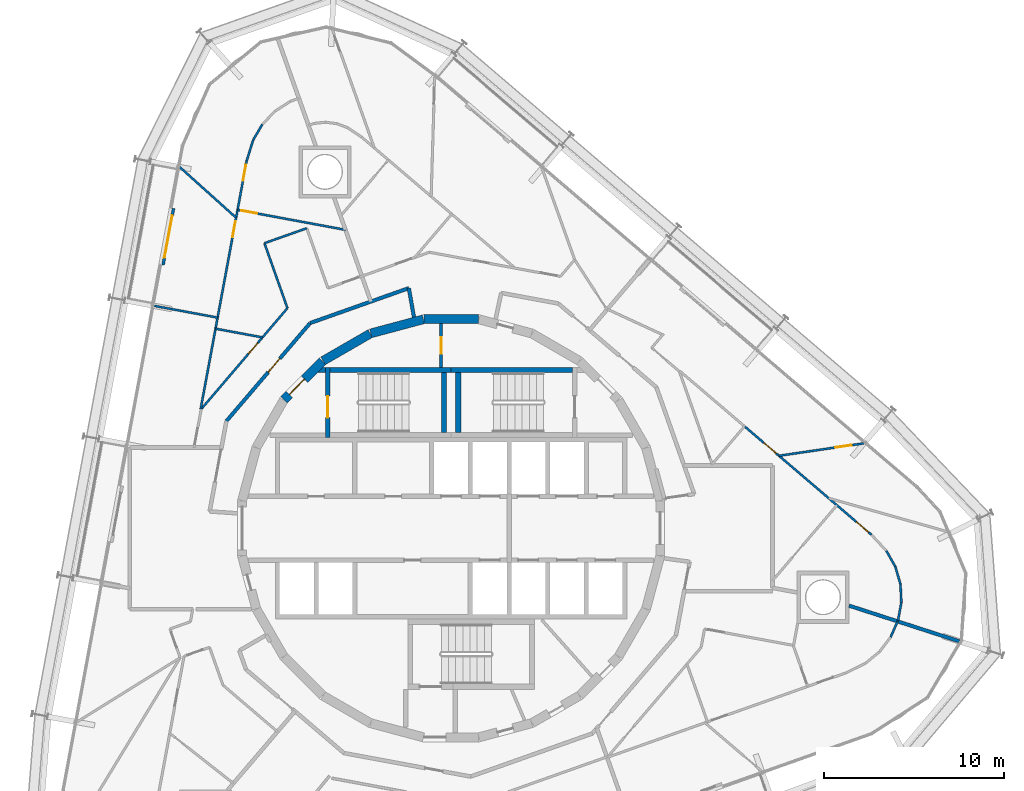
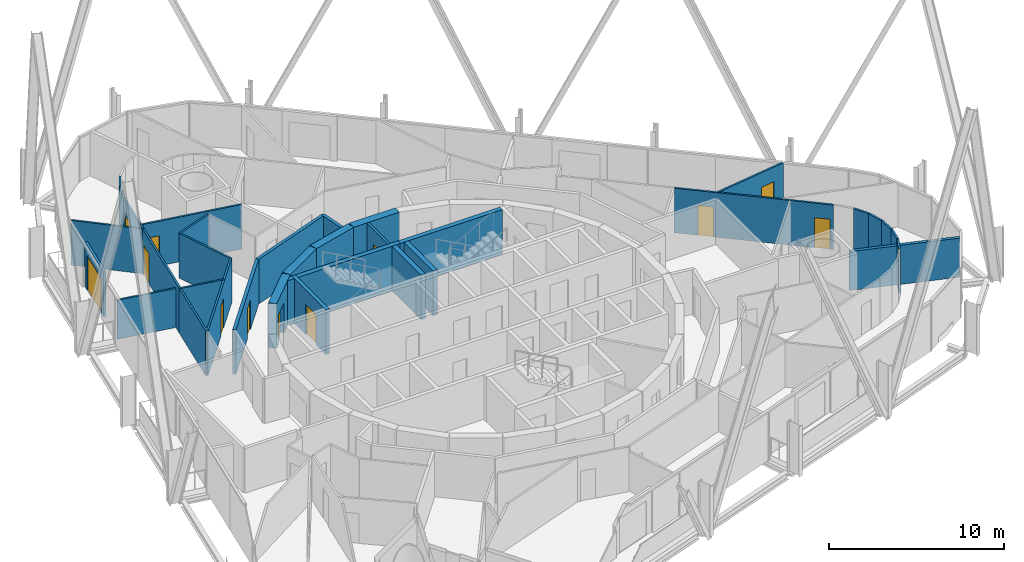
# One storey, part 14 of 17: 34 walls, 12 doors, 12 openings.
"""IFC4 building model written with IfcOpenShell, lengths in metres."""

from ifc_helpers import new_model, si_unit, direction, frame, frame_2d, origin, place, context, subcontext, project, spatial, polyline, rectangle, outline, extrude, material, layer, layer_set, type_object, element, fill, save


model = new_model("IFC4")

# Units and contexts
model_context = context("Model", 3, precision=1e-05, world=origin(), true_north=direction((0.0, 1.0)))
body_context = subcontext(model_context, "Body", "Model", "MODEL_VIEW")
ifc_project = project(units=[si_unit("LENGTHUNIT", "METRE"), si_unit("AREAUNIT", "SQUARE_METRE"), si_unit("VOLUMEUNIT", "CUBIC_METRE"), si_unit("PLANEANGLEUNIT", "RADIAN"), si_unit("MASSUNIT", "GRAM", prefix="KILO")], contexts=[model_context])

# Site, building, storey
site_placement = place(None, origin())
site = spatial("IfcSite", under=ifc_project, at=site_placement, CompositionType="ELEMENT")
building_placement = place(site_placement, origin())
building = spatial("IfcBuilding", under=site, at=building_placement, Name="Spindle Arch Residences", CompositionType="ELEMENT")
storey_placement = place(building_placement, frame((0.0, 0.0, 165.699951171875)))
storey = spatial("IfcBuildingStorey", under=building, at=storey_placement, Name="L41", CompositionType="ELEMENT", Elevation=165.699951171875)

# Walls
ifc_material_1 = material(Name="Concrete C50/60", Category="concrete")
ifc_layer_1 = layer(ifc_material_1, 0.5)
ifc_layer_set_1 = layer_set([ifc_layer_1], Name="Core outline wall 500")
wall_type_1 = type_object("IfcWallType", Name="Core outline wall 500", PredefinedType="SHEAR", material=ifc_layer_set_1)
for number, where, z_axis, x_axis, name in (
    (1, (1.516357421875, 11.647216796875, 0.0), (0.0, 0.0, 1.0), (-1.0, 0.0, 0.0), "Core outline wall 12"),
    (2, (-1.5498046875, 11.642822265625, 0.0), (0.0, 0.0, 1.0), (-0.965948410781, -0.258734743916, 0.0), "Core outline wall 13"),
    (3, (-4.510498046875, 10.84521484375, 0.0), (0.0, 0.0, 1.0), (-0.865975092491, -0.500087131594, 0.0), "Core outline wall 14"),
):
    element("IfcWall", number, at=place(storey_placement, frame(where, z_axis=z_axis, x_axis=x_axis)), inside=storey, type_object=wall_type_1, Name=name, PredefinedType="SHEAR", context=body_context, shape_type="SweptSolid", body=[
        extrude(rectangle(XDim=3.03271484375, YDim=0.5, at=frame_2d((1.516357421875, 0.0))), origin(), (0.0, 0.0, 1.0), 3.1201171875),
    ])

# Wall, opening, door
wall_1_placement = place(storey_placement, frame((-7.163818359375, 9.30810546875, 0.0), z_axis=(0.0, 0.0, 1.0), x_axis=(-0.707106781187, -0.707106781187, 0.0)))
wall_1 = element("IfcWall", 4, at=wall_1_placement, inside=storey, type_object=wall_type_1, Name="Core outline wall 15", PredefinedType="SHEAR", context=body_context, shape_type="SweptSolid", body=[
    extrude(rectangle(XDim=3.032470703125, YDim=0.5, at=frame_2d((1.51611328125, 0.0))), origin(), (0.0, 0.0, 1.0), 3.1201171875),
])
opening_1_placement = place(wall_1_placement, frame((1.416259765625, 0.0, 0.0)))
opening_1 = element("IfcOpeningElement", 5, at=opening_1_placement, cuts=wall_1, Name="Opening R4B0-AD02", PredefinedType="OPENING", context=body_context, shape_type="SweptSolid", body=[
    extrude(rectangle(XDim=1.199951171875, YDim=2.10009765625, at=frame_2d((0.60009765625, 1.050048828125))), frame((0.0, 0.260009765625, 0.0), z_axis=(0.0, -1.0, 0.0), x_axis=(1.0, 0.0, 0.0)), (0.0, 0.0, 1.0), 0.52001953125),
])
ifc_material_2 = material(Name="Steel, fire-resisting door", Category="steel")
door_type_1 = type_object("IfcDoorType", Name="Stair airlock door 1200x2100", OperationType="SINGLE_SWING_LEFT", PredefinedType="DOOR", material=ifc_material_2)
door_1_placement = place(opening_1_placement, origin())
door_1 = element("IfcDoor", 6, at=door_1_placement, inside=storey, type_object=door_type_1, Name="Stair airlock door R4B0-AD02", OperationType="SINGLE_SWING_RIGHT", OverallHeight=2.10009765625, OverallWidth=1.199951171875, PredefinedType="DOOR", context=body_context, shape_type="SweptSolid", body=[
    extrude(rectangle(XDim=1.199951171875, YDim=2.10009765625, at=frame_2d((0.60009765625, 1.050048828125))), frame((0.0, 0.02490234375, 0.0), z_axis=(0.0, -1.0, 0.0), x_axis=(1.0, 0.0, 0.0)), (0.0, 0.0, 1.0), 0.050048828125),
])
fill(opening_1, door_1)

# Walls
ifc_material_3 = material(Name="Calcium silicate block, plastered")
ifc_layer_2 = layer(ifc_material_3, 0.199951171875)
ifc_layer_set_2 = layer_set([ifc_layer_2], Name="Corridor wall 200")
wall_type_2 = type_object("IfcWallType", Name="Corridor wall 200", PredefinedType="STANDARD", material=ifc_layer_set_2)
wall_2_placement = place(storey_placement, frame((-2.07373046875, 11.76123046875, 0.0), z_axis=(0.0, 0.0, 1.0), x_axis=(-0.1736412798, 0.984808969267, 0.0)))
element("IfcWall", 7, at=wall_2_placement, inside=storey, type_object=wall_type_2, Name="Corridor wall R4B0-W009", PredefinedType="STANDARD", context=body_context, shape_type="SweptSolid", body=[
    extrude(rectangle(XDim=1.6435546875, YDim=0.199951171875, at=frame_2d((0.82177734375, 0.0))), origin(), (0.0, 0.0, 1.0), 3.1201171875),
])
wall_3_placement = place(storey_placement, frame((-2.359130859375, 13.3798828125, 0.0), z_axis=(0.0, 0.0, 1.0), x_axis=(-0.942647529236, -0.333789807551, 0.0)))
element("IfcWall", 8, at=wall_3_placement, inside=storey, type_object=wall_type_2, Name="Corridor wall R4B0-W010", PredefinedType="STANDARD", context=body_context, shape_type="SweptSolid", body=[
    extrude(rectangle(XDim=5.8330078125, YDim=0.199951171875, at=frame_2d((2.91650390625, 0.0))), origin(), (0.0, 0.0, 1.0), 3.1201171875),
])

# Wall, opening, door
wall_4_placement = place(storey_placement, frame((-7.857666015625, 11.432861328125, 0.0), z_axis=(0.0, 0.0, 1.0), x_axis=(-0.649440801937, -0.760412154545, 0.0)))
wall_4 = element("IfcWall", 9, at=wall_4_placement, inside=storey, type_object=wall_type_2, Name="Corridor wall R4B0-W011", PredefinedType="STANDARD", context=body_context, shape_type="SweptSolid", body=[
    extrude(rectangle(XDim=7.180908203125, YDim=0.199951171875, at=frame_2d((3.59033203125, 0.0))), origin(), (0.0, 0.0, 1.0), 3.1201171875),
])
opening_2_placement = place(wall_4_placement, frame((2.60009765625, 0.0, 0.0)))
opening_2 = element("IfcOpeningElement", 10, at=opening_2_placement, cuts=wall_4, Name="Opening R4B0-FD03", PredefinedType="OPENING", context=body_context, shape_type="SweptSolid", body=[
    extrude(rectangle(XDim=1.0, YDim=2.10009765625, at=frame_2d((0.5, 1.050048828125))), frame((0.0, 0.10986328125, 0.0), z_axis=(0.0, -1.0, 0.0), x_axis=(1.0, 0.0, 0.0)), (0.0, 0.0, 1.0), 0.219970703125),
])
ifc_material_4 = material(Name="Timber, fire-resisting door set", Category="wood")
door_type_2 = type_object("IfcDoorType", Name="Flat entrance door 1000x2100", OperationType="NOTDEFINED", PredefinedType="DOOR", material=ifc_material_4)
door_2_placement = place(opening_2_placement, origin())
door_2 = element("IfcDoor", 11, at=door_2_placement, inside=storey, type_object=door_type_2, Name="Flat entrance door R4B0-FD03", OperationType="SINGLE_SWING_LEFT", OverallHeight=2.10009765625, OverallWidth=1.0, PredefinedType="DOOR", context=body_context, shape_type="SweptSolid", body=[
    extrude(rectangle(XDim=1.0, YDim=2.10009765625, at=frame_2d((0.5, 1.050048828125))), frame((0.0, 0.02490234375, 0.0), z_axis=(0.0, -1.0, 0.0), x_axis=(1.0, 0.0, 0.0)), (0.0, 0.0, 1.0), 0.050048828125),
])
fill(opening_2, door_2)

# Wall, openings, doors
ifc_material_5 = material(Name="Plasterboard on steel studs", Category="steel")
ifc_layer_3 = layer(ifc_material_5, 0.1201171875)
ifc_layer_set_3 = layer_set([ifc_layer_3], Name="Flat partition 120")
wall_type_3 = type_object("IfcWallType", Name="Flat partition 120", PredefinedType="PARTITIONING", material=ifc_layer_set_3)
wall_5_placement = place(storey_placement, frame((23.411376953125, -0.35693359375, 0.0), z_axis=(0.0, 0.0, 1.0), x_axis=(-0.76041871148, 0.649433124525, 0.0)))
wall_5 = element("IfcWall", 12, at=wall_5_placement, inside=storey, type_object=wall_type_3, Name="Flat partition R4B0-W043", PredefinedType="PARTITIONING", context=body_context, shape_type="SweptSolid", body=[
    extrude(rectangle(XDim=9.2587890625, YDim=0.1201171875, at=frame_2d((4.62939453125, 0.0))), origin(), (0.0, 0.0, 1.0), 3.1201171875),
])
opening_3_placement = place(wall_5_placement, frame((6.971923828125, 0.0, 0.0)))
opening_3 = element("IfcOpeningElement", 13, at=opening_3_placement, cuts=wall_5, Name="Opening R4B0-ID02", PredefinedType="OPENING", context=body_context, shape_type="SweptSolid", body=[
    extrude(rectangle(XDim=0.89990234375, YDim=2.10009765625, at=frame_2d((0.449951171875, 1.050048828125))), frame((0.0, 0.070068359375, 0.0), z_axis=(0.0, -1.0, 0.0), x_axis=(1.0, 0.0, 0.0)), (0.0, 0.0, 1.0), 0.14013671875),
])
opening_4_placement = place(wall_5_placement, frame((0.199951171875, 0.0, 0.0)))
opening_4 = element("IfcOpeningElement", 14, at=opening_4_placement, cuts=wall_5, Name="Opening R4B0-ID05", PredefinedType="OPENING", context=body_context, shape_type="SweptSolid", body=[
    extrude(rectangle(XDim=0.89990234375, YDim=2.10009765625, at=frame_2d((0.449951171875, 1.050048828125))), frame((0.0, 0.070068359375, 0.0), z_axis=(0.0, -1.0, 0.0), x_axis=(1.0, 0.0, 0.0)), (0.0, 0.0, 1.0), 0.14013671875),
])
ifc_material_6 = material(Name="Timber door set", Category="wood")
door_type_3 = type_object("IfcDoorType", Name="Room door 900x2100", OperationType="NOTDEFINED", PredefinedType="DOOR", material=ifc_material_6)
door_3_placement = place(opening_3_placement, origin())
door_3 = element("IfcDoor", 15, at=door_3_placement, inside=storey, type_object=door_type_3, Name="Room door R4B0-ID02", OperationType="SINGLE_SWING_RIGHT", OverallHeight=2.10009765625, OverallWidth=0.89990234375, PredefinedType="DOOR", context=body_context, shape_type="SweptSolid", body=[
    extrude(rectangle(XDim=0.89990234375, YDim=2.10009765625, at=frame_2d((0.449951171875, 1.050048828125))), frame((0.0, 0.02490234375, 0.0), z_axis=(0.0, -1.0, 0.0), x_axis=(1.0, 0.0, 0.0)), (0.0, 0.0, 1.0), 0.050048828125),
])
fill(opening_3, door_3)
door_4_placement = place(opening_4_placement, origin())
door_4 = element("IfcDoor", 16, at=door_4_placement, inside=storey, type_object=door_type_3, Name="Room door R4B0-ID05", OperationType="SINGLE_SWING_LEFT", OverallHeight=2.10009765625, OverallWidth=0.89990234375, PredefinedType="DOOR", context=body_context, shape_type="SweptSolid", body=[
    extrude(rectangle(XDim=0.89990234375, YDim=2.10009765625, at=frame_2d((0.449951171875, 1.050048828125))), frame((0.0, 0.02490234375, 0.0), z_axis=(0.0, -1.0, 0.0), x_axis=(1.0, 0.0, 0.0)), (0.0, 0.0, 1.0), 0.050048828125),
])
fill(opening_4, door_4)

# Wall, opening, door
wall_6_placement = place(storey_placement, frame((22.99365234375, 4.73388671875, 0.0), z_axis=(0.0, 0.0, 1.0), x_axis=(-0.989449286977, -0.144879634529, 0.0)))
wall_6 = element("IfcWall", 17, at=wall_6_placement, inside=storey, type_object=wall_type_3, Name="Flat partition R4B0-W046", PredefinedType="PARTITIONING", context=body_context, shape_type="SweptSolid", body=[
    extrude(rectangle(XDim=4.782470703125, YDim=0.1201171875, at=frame_2d((2.39111328125, 0.0))), origin(), (0.0, 0.0, 1.0), 3.1201171875),
])
opening_5_placement = place(wall_6_placement, frame((0.699951171875, 0.0, 0.0)))
opening_5 = element("IfcOpeningElement", 18, at=opening_5_placement, cuts=wall_6, Name="Opening R4B0-ID03", PredefinedType="OPENING", context=body_context, shape_type="SweptSolid", body=[
    extrude(rectangle(XDim=0.89990234375, YDim=2.10009765625, at=frame_2d((0.449951171875, 1.050048828125))), frame((0.0, 0.070068359375, 0.0), z_axis=(0.0, -1.0, 0.0), x_axis=(1.0, 0.0, 0.0)), (0.0, 0.0, 1.0), 0.14013671875),
])
door_5_placement = place(opening_5_placement, origin())
door_5 = element("IfcDoor", 19, at=door_5_placement, inside=storey, type_object=door_type_3, Name="Room door R4B0-ID03", OperationType="SINGLE_SWING_LEFT", OverallHeight=2.10009765625, OverallWidth=0.89990234375, PredefinedType="DOOR", context=body_context, shape_type="SweptSolid", body=[
    extrude(rectangle(XDim=0.89990234375, YDim=2.10009765625, at=frame_2d((0.449951171875, 1.050048828125))), frame((0.0, 0.02490234375, 0.0), z_axis=(0.0, -1.0, 0.0), x_axis=(1.0, 0.0, 0.0)), (0.0, 0.0, 1.0), 0.050048828125),
])
fill(opening_5, door_5)

# Walls
for number, where, z_axis, x_axis, name in (
    (20, (24.893798828125, -5.130615234375, 0.0), (0.0, 0.0, 1.0), (0.182140887528, 0.983272442963, 0.0), "Flat partition R4B0-W048"),
    (21, (25.078857421875, -4.131591796875, 0.0), (0.0, 0.0, 1.0), (-0.049494233422, 0.998774409393, 0.0), "Flat partition R4B0-W049"),
):
    element("IfcWall", number, at=place(storey_placement, frame(where, z_axis=z_axis, x_axis=x_axis)), inside=storey, type_object=wall_type_3, Name=name, PredefinedType="PARTITIONING", context=body_context, shape_type="SweptSolid", body=[
        extrude(rectangle(XDim=1.01611328125, YDim=0.1201171875, at=frame_2d((0.508056640625, 0.0))), origin(), (0.0, 0.0, 1.0), 3.1201171875),
    ])
for number, where, z_axis, x_axis, name in (
    (22, (25.028564453125, -3.11669921875, 0.0), (0.0, 0.0, 1.0), (-0.278559922069, 0.96041885124, 0.0), "Flat partition R4B0-W050"),
    (23, (24.74560546875, -2.14111328125, 0.0), (0.0, 0.0, 1.0), (-0.492199796518, 0.870482257319, 0.0), "Flat partition R4B0-W051"),
):
    element("IfcWall", number, at=place(storey_placement, frame(where, z_axis=z_axis, x_axis=x_axis)), inside=storey, type_object=wall_type_3, Name=name, PredefinedType="PARTITIONING", context=body_context, shape_type="SweptSolid", body=[
        extrude(rectangle(XDim=1.015869140625, YDim=0.1201171875, at=frame_2d((0.5078125, 0.0))), origin(), (0.0, 0.0, 1.0), 3.1201171875),
    ])
wall_7_placement = place(storey_placement, frame((-8.045166015625, 16.71630859375, 0.0), z_axis=(0.0, 0.0, 1.0), x_axis=(-0.942640030216, -0.333810984592, 0.0)))
element("IfcWall", 24, at=wall_7_placement, inside=storey, type_object=wall_type_3, Name="Flat partition R4B0-W069", PredefinedType="PARTITIONING", context=body_context, shape_type="SweptSolid", body=[
    extrude(rectangle(XDim=2.499755859375, YDim=0.1201171875, at=frame_2d((1.25, 0.0))), origin(), (0.0, 0.0, 1.0), 3.1201171875),
])
wall_8_placement = place(storey_placement, frame((-10.401611328125, 15.8818359375, 0.0), z_axis=(0.0, 0.0, 1.0), x_axis=(0.33382476952, -0.942635148536, 0.0)))
element("IfcWall", 25, at=wall_8_placement, inside=storey, type_object=wall_type_3, Name="Flat partition R4B0-W070", PredefinedType="PARTITIONING", context=body_context, shape_type="SweptSolid", body=[
    extrude(rectangle(XDim=3.838134765625, YDim=0.1201171875, at=frame_2d((1.9189453125, 0.0))), origin(), (0.0, 0.0, 1.0), 3.1201171875),
])

# Wall, opening, door
wall_9_placement = place(storey_placement, frame((-9.120361328125, 12.263916015625, 0.0), z_axis=(0.0, 0.0, 1.0), x_axis=(-0.649444490942, -0.760409003882, 0.0)))
wall_9 = element("IfcWall", 26, at=wall_9_placement, inside=storey, type_object=wall_type_3, Name="Flat partition R4B0-W071", PredefinedType="PARTITIONING", context=body_context, shape_type="SweptSolid", body=[
    extrude(rectangle(XDim=7.394775390625, YDim=0.1201171875, at=frame_2d((3.697265625, 0.0))), origin(), (0.0, 0.0, 1.0), 3.1201171875),
])
opening_6_placement = place(wall_9_placement, frame((2.54150390625, 0.0, 0.0)))
opening_6 = element("IfcOpeningElement", 27, at=opening_6_placement, cuts=wall_9, Name="Opening R4B0-BD03", PredefinedType="OPENING", context=body_context, shape_type="SweptSolid", body=[
    extrude(rectangle(XDim=0.800048828125, YDim=2.10009765625, at=frame_2d((0.39990234375, 1.050048828125))), frame((0.0, 0.070068359375, 0.0), z_axis=(0.0, -1.0, 0.0), x_axis=(1.0, 0.0, 0.0)), (0.0, 0.0, 1.0), 0.14013671875),
])
ifc_material_7 = material(Name="Timber door set", Category="wood")
door_type_4 = type_object("IfcDoorType", Name="Bathroom door 800x2100", OperationType="NOTDEFINED", PredefinedType="DOOR", material=ifc_material_7)
door_6_placement = place(opening_6_placement, origin())
door_6 = element("IfcDoor", 28, at=door_6_placement, inside=storey, type_object=door_type_4, Name="Bathroom door R4B0-BD03", OperationType="SINGLE_SWING_LEFT", OverallHeight=2.10009765625, OverallWidth=0.800048828125, PredefinedType="DOOR", context=body_context, shape_type="SweptSolid", body=[
    extrude(rectangle(XDim=0.800048828125, YDim=2.10009765625, at=frame_2d((0.39990234375, 1.050048828125))), frame((0.0, 0.02490234375, 0.0), z_axis=(0.0, -1.0, 0.0), x_axis=(1.0, 0.0, 0.0)), (0.0, 0.0, 1.0), 0.050048828125),
])
fill(opening_6, door_6)

# Walls
wall_10_placement = place(storey_placement, frame((-13.955322265625, 6.64697265625, 0.0), z_axis=(0.0, 0.0, 1.0), x_axis=(0.182264522222, 0.983249532896, 0.0)))
element("IfcWall", 29, at=wall_10_placement, inside=storey, type_object=wall_type_3, Name="Flat partition R4B0-W073", PredefinedType="PARTITIONING", context=body_context, shape_type="SweptSolid", body=[
    extrude(rectangle(XDim=4.589111328125, YDim=0.1201171875, at=frame_2d((2.29443359375, 0.0))), origin(), (0.0, 0.0, 1.0), 3.1201171875),
])
wall_11_placement = place(storey_placement, frame((-10.518798828125, 22.501220703125, 0.0), z_axis=(0.0, 0.0, 1.0), x_axis=(-0.507198615628, -0.861829196712, 0.0)))
element("IfcWall", 30, at=wall_11_placement, inside=storey, type_object=wall_type_3, Name="Flat partition R4B0-W077", PredefinedType="PARTITIONING", context=body_context, shape_type="SweptSolid", body=[
    extrude(rectangle(XDim=1.01611328125, YDim=0.1201171875, at=frame_2d((0.508056640625, 0.0))), origin(), (0.0, 0.0, 1.0), 3.1201171875),
])
wall_12_placement = place(storey_placement, frame((-11.0341796875, 21.62548828125, 0.0), z_axis=(0.0, 0.0, 1.0), x_axis=(-0.295260042089, -0.955416928647, 0.0)))
element("IfcWall", 31, at=wall_12_placement, inside=storey, type_object=wall_type_3, Name="Flat partition R4B0-W078", PredefinedType="PARTITIONING", context=body_context, shape_type="SweptSolid", body=[
    extrude(rectangle(XDim=1.22705078125, YDim=0.1201171875, at=frame_2d((0.613525390625, 0.0))), origin(), (0.0, 0.0, 1.0), 3.1201171875),
])

# Wall, openings, doors
wall_13_placement = place(storey_placement, frame((-11.396484375, 20.453125, 0.0), z_axis=(0.0, 0.0, 1.0), x_axis=(-0.182223370439, -0.983257160292, 0.0)))
wall_13 = element("IfcWall", 32, at=wall_13_placement, inside=storey, type_object=wall_type_3, Name="Flat partition R4B0-W079", PredefinedType="PARTITIONING", context=body_context, shape_type="SweptSolid", body=[
    extrude(rectangle(XDim=9.4521484375, YDim=0.1201171875, at=frame_2d((4.72607421875, 0.0))), origin(), (0.0, 0.0, 1.0), 3.1201171875),
])
opening_7_placement = place(wall_13_placement, frame((3.405517578125, 0.0, 0.0)))
opening_7 = element("IfcOpeningElement", 33, at=opening_7_placement, cuts=wall_13, Name="Opening R4B0-ID15", PredefinedType="OPENING", context=body_context, shape_type="SweptSolid", body=[
    extrude(rectangle(XDim=0.89990234375, YDim=2.10009765625, at=frame_2d((0.449951171875, 1.050048828125))), frame((0.0, 0.070068359375, 0.0), z_axis=(0.0, -1.0, 0.0), x_axis=(1.0, 0.0, 0.0)), (0.0, 0.0, 1.0), 0.14013671875),
])
opening_8_placement = place(wall_13_placement, frame((0.199951171875, 0.0, 0.0)))
opening_8 = element("IfcOpeningElement", 34, at=opening_8_placement, cuts=wall_13, Name="Opening R4B0-ID16", PredefinedType="OPENING", context=body_context, shape_type="SweptSolid", body=[
    extrude(rectangle(XDim=0.89990234375, YDim=2.10009765625, at=frame_2d((0.449951171875, 1.050048828125))), frame((0.0, 0.070068359375, 0.0), z_axis=(0.0, -1.0, 0.0), x_axis=(1.0, 0.0, 0.0)), (0.0, 0.0, 1.0), 0.14013671875),
])
door_7_placement = place(opening_7_placement, origin())
door_7 = element("IfcDoor", 35, at=door_7_placement, inside=storey, type_object=door_type_3, Name="Room door R4B0-ID15", OperationType="SINGLE_SWING_LEFT", OverallHeight=2.10009765625, OverallWidth=0.89990234375, PredefinedType="DOOR", context=body_context, shape_type="SweptSolid", body=[
    extrude(rectangle(XDim=0.89990234375, YDim=2.10009765625, at=frame_2d((0.449951171875, 1.050048828125))), frame((0.0, 0.02490234375, 0.0), z_axis=(0.0, -1.0, 0.0), x_axis=(1.0, 0.0, 0.0)), (0.0, 0.0, 1.0), 0.050048828125),
])
fill(opening_7, door_7)
door_8_placement = place(opening_8_placement, origin())
door_8 = element("IfcDoor", 36, at=door_8_placement, inside=storey, type_object=door_type_3, Name="Room door R4B0-ID16", OperationType="SINGLE_SWING_LEFT", OverallHeight=2.10009765625, OverallWidth=0.89990234375, PredefinedType="DOOR", context=body_context, shape_type="SweptSolid", body=[
    extrude(rectangle(XDim=0.89990234375, YDim=2.10009765625, at=frame_2d((0.449951171875, 1.050048828125))), frame((0.0, 0.02490234375, 0.0), z_axis=(0.0, -1.0, 0.0), x_axis=(1.0, 0.0, 0.0)), (0.0, 0.0, 1.0), 0.050048828125),
])
fill(opening_8, door_8)

# Wall, opening, door
wall_14_placement = place(storey_placement, frame((-11.8994140625, 17.739990234375, 0.0), z_axis=(0.0, 0.0, 1.0), x_axis=(0.983254721409, -0.182236529889, 0.0)))
wall_14 = element("IfcWall", 37, at=wall_14_placement, inside=storey, type_object=wall_type_3, Name="Flat partition R4B0-W080", PredefinedType="PARTITIONING", context=body_context, shape_type="SweptSolid", body=[
    extrude(rectangle(XDim=6.1142578125, YDim=0.1201171875, at=frame_2d((3.05712890625, 0.0))), origin(), (0.0, 0.0, 1.0), 3.1201171875),
])
opening_9_placement = place(wall_14_placement, frame((0.199951171875, 0.0, 0.0)))
opening_9 = element("IfcOpeningElement", 38, at=opening_9_placement, cuts=wall_14, Name="Opening R4B0-ID14", PredefinedType="OPENING", context=body_context, shape_type="SweptSolid", body=[
    extrude(rectangle(XDim=0.89990234375, YDim=2.10009765625, at=frame_2d((0.449951171875, 1.050048828125))), frame((0.0, 0.070068359375, 0.0), z_axis=(0.0, -1.0, 0.0), x_axis=(1.0, 0.0, 0.0)), (0.0, 0.0, 1.0), 0.14013671875),
])
door_9_placement = place(opening_9_placement, origin())
door_9 = element("IfcDoor", 39, at=door_9_placement, inside=storey, type_object=door_type_3, Name="Room door R4B0-ID14", OperationType="SINGLE_SWING_LEFT", OverallHeight=2.10009765625, OverallWidth=0.89990234375, PredefinedType="DOOR", context=body_context, shape_type="SweptSolid", body=[
    extrude(rectangle(XDim=0.89990234375, YDim=2.10009765625, at=frame_2d((0.449951171875, 1.050048828125))), frame((0.0, 0.02490234375, 0.0), z_axis=(0.0, -1.0, 0.0), x_axis=(1.0, 0.0, 0.0)), (0.0, 0.0, 1.0), 0.050048828125),
])
fill(opening_9, door_9)

# Walls
wall_15_placement = place(storey_placement, frame((-15.119140625, 20.122314453125, 0.0), z_axis=(0.0, 0.0, 1.0), x_axis=(0.743711124749, -0.668501131581, 0.0)))
element("IfcWall", 40, at=wall_15_placement, inside=storey, type_object=wall_type_3, Name="Flat partition R4B0-W081", PredefinedType="PARTITIONING", context=body_context, shape_type="SweptSolid", body=[
    extrude(rectangle(XDim=4.219970703125, YDim=0.1201171875, at=frame_2d((2.10986328125, 0.0))), origin(), (0.0, 0.0, 1.0), 3.1201171875),
])
wall_16_placement = place(storey_placement, frame((-13.126220703125, 11.1201171875, 0.0), z_axis=(0.0, 0.0, 1.0), x_axis=(0.983257646361, -0.182220747645, 0.0)))
element("IfcWall", 41, at=wall_16_placement, inside=storey, type_object=wall_type_3, Name="Flat partition R4B0-W082", PredefinedType="PARTITIONING", context=body_context, shape_type="SweptSolid", body=[
    extrude(rectangle(XDim=2.659423828125, YDim=0.1201171875, at=frame_2d((1.32958984375, 0.0))), origin(), (0.0, 0.0, 1.0), 3.1201171875),
])
wall_17_placement = place(storey_placement, frame((24.8701171875, -5.18408203125, 0.0), z_axis=(0.0, 0.0, 1.0), x_axis=(-0.404173771344, -0.914682219439, 0.0)))
element("IfcWall", 42, at=wall_17_placement, inside=storey, type_object=wall_type_3, Name="Flat partition R4B0-W121", PredefinedType="PARTITIONING", context=body_context, shape_type="SweptSolid", body=[
    extrude(rectangle(XDim=0.95751953125, YDim=0.1201171875, at=frame_2d((0.478759765625, 0.0))), origin(), (0.0, 0.0, 1.0), 3.1201171875),
])
ifc_material_8 = material(Name="Plasterboard on steel studs", Category="steel")
ifc_layer_4 = layer(ifc_material_8, 0.1201171875)
ifc_layer_set_4 = layer_set([ifc_layer_4], Name="Flat partition 120 under beam 2730")
wall_type_4 = type_object("IfcWallType", Name="Flat partition 120 under beam 2730", PredefinedType="PARTITIONING", material=ifc_layer_set_4)
wall_18_placement = place(storey_placement, frame((-16.551513671875, 12.393798828125, 0.0), z_axis=(0.0, 0.0, 1.0), x_axis=(0.983257712156, -0.182220392618, 0.0)))
element("IfcWall", 43, at=wall_18_placement, inside=storey, type_object=wall_type_4, Name="Flat partition R4B0-W083", PredefinedType="PARTITIONING", context=body_context, shape_type="SweptSolid", body=[
    extrude(rectangle(XDim=3.60009765625, YDim=0.1201171875, at=frame_2d((1.800048828125, 0.0))), origin(), (0.0, 0.0, 1.0), 2.72998046875),
])
ifc_material_9 = material(Name="Calcium silicate block, plastered")
ifc_layer_5 = layer(ifc_material_9, 0.199951171875)
ifc_layer_set_5 = layer_set([ifc_layer_5], Name="Flat party wall 200 under beam 2730")
wall_type_5 = type_object("IfcWallType", Name="Flat party wall 200 under beam 2730", PredefinedType="STANDARD", material=ifc_layer_set_5)
wall_19_placement = place(storey_placement, frame((22.1630859375, -4.30810546875, 0.0), z_axis=(0.0, 0.0, 1.0), x_axis=(0.951422718769, -0.307887658426, 0.0)))
element("IfcWall", 44, at=wall_19_placement, inside=storey, type_object=wall_type_5, Name="Flat party wall R4B0-W030", PredefinedType="STANDARD", context=body_context, shape_type="SweptSolid", body=[
    extrude(rectangle(XDim=6.464111328125, YDim=0.199951171875, at=frame_2d((3.23193359375, 0.0))), origin(), (0.0, 0.0, 1.0), 2.72998046875),
])

# Wall, opening, door
ifc_material_10 = material(Name="Non-combustible mineral wool insulated aluminium faced external wall (K0)", Category="aluminium")
ifc_layer_6 = layer(ifc_material_10, 0.159912109375)
ifc_layer_set_6 = layer_set([ifc_layer_6], Name="Insulated external wall panel 160")
wall_type_6 = type_object("IfcWallType", Name="Insulated external wall panel 160", PredefinedType="STANDARD", material=ifc_layer_set_6)
wall_20_placement = place(storey_placement, frame((-15.465087890625, 17.816650390625, 0.0), z_axis=(0.0, 0.0, 1.0), x_axis=(-0.182201278434, -0.983261254264, 0.0)))
wall_20 = element("IfcWall", 45, at=wall_20_placement, inside=storey, type_object=wall_type_6, Name="External wall L41 bay 13", PredefinedType="STANDARD", context=body_context, shape_type="SweptSolid", body=[
    extrude(rectangle(XDim=3.19970703125, YDim=0.159912109375, at=frame_2d((1.599853515625, 0.0))), origin(), (0.0, 0.0, 1.0), 3.1201171875),
])
opening_10_placement = place(wall_20_placement, frame((0.39990234375, 0.0, 0.0)))
opening_10 = element("IfcOpeningElement", 46, at=opening_10_placement, cuts=wall_20, Name="Opening BD13", PredefinedType="OPENING", context=body_context, shape_type="SweptSolid", body=[
    extrude(rectangle(XDim=2.39990234375, YDim=2.39990234375, at=frame_2d((1.199951171875, 1.199951171875))), frame((0.0, 0.08984375, 0.0), z_axis=(0.0, -1.0, 0.0), x_axis=(1.0, 0.0, 0.0)), (0.0, 0.0, 1.0), 0.179931640625),
])
ifc_material_11 = material(Name="Bronze aluminium frame, tinted double glazing", Category="aluminium")
door_type_5 = type_object("IfcDoorType", Name="Sliding glazed balcony door 2400x2400", OperationType="DOUBLE_DOOR_SLIDING", PredefinedType="DOOR", material=ifc_material_11)
door_10_placement = place(opening_10_placement, origin())
door_10 = element("IfcDoor", 47, at=door_10_placement, inside=storey, type_object=door_type_5, Name="Balcony door BD13", OperationType="DOUBLE_DOOR_SLIDING", OverallHeight=2.39990234375, OverallWidth=2.39990234375, PredefinedType="DOOR", context=body_context, shape_type="SweptSolid", body=[
    extrude(rectangle(XDim=2.39990234375, YDim=2.39990234375, at=frame_2d((1.199951171875, 1.199951171875))), frame((0.0, 0.02490234375, 0.0), z_axis=(0.0, -1.0, 0.0), x_axis=(1.0, 0.0, 0.0)), (0.0, 0.0, 1.0), 0.050048828125),
])
fill(opening_10, door_10)

ifc_material_12 = material(Name="Concrete C25/30", Category="concrete")
ifc_layer_7 = layer(ifc_material_12, 0.14990234375)
ifc_layer_set_7 = layer_set([ifc_layer_7], Name="Service room partition 150")
wall_type_7 = type_object("IfcWallType", Name="Service room partition 150", PredefinedType="PARTITIONING", material=ifc_layer_set_7)
wall_21_placement = place(storey_placement, frame((-0.5615234375, 8.969970703125, 0.0), z_axis=(0.0, 0.0, 1.0), x_axis=(0.0, 1.0, 0.0)))
wall_21 = element("IfcWall", 48, at=wall_21_placement, inside=storey, type_object=wall_type_7, Name="Core service room partition", PredefinedType="PARTITIONING", context=body_context, shape_type="SweptSolid", body=[
    extrude(rectangle(XDim=2.42724609375, YDim=0.14990234375, at=frame_2d((1.213623046875, 0.0))), origin(), (0.0, 0.0, 1.0), 3.1201171875),
])
opening_11_placement = place(wall_21_placement, frame((0.763671875, 0.0, 0.0)))
opening_11 = element("IfcOpeningElement", 49, at=opening_11_placement, cuts=wall_21, Name="Opening R4B0-WD05", PredefinedType="OPENING", context=body_context, shape_type="SweptSolid", body=[
    extrude(rectangle(XDim=0.89990234375, YDim=2.10009765625, at=frame_2d((0.449951171875, 1.050048828125))), frame((0.0, 0.0849609375, 0.0), z_axis=(0.0, -1.0, 0.0), x_axis=(1.0, 0.0, 0.0)), (0.0, 0.0, 1.0), 0.169921875),
])
ifc_material_13 = material(Name="Steel, fire-resisting door", Category="steel")
door_type_6 = type_object("IfcDoorType", Name="Service room door 900x2100", OperationType="SINGLE_SWING_LEFT", PredefinedType="DOOR", material=ifc_material_13)
door_11_placement = place(opening_11_placement, origin())
door_11 = element("IfcDoor", 50, at=door_11_placement, inside=storey, type_object=door_type_6, Name="Service room door R4B0-WD05", OperationType="SINGLE_SWING_LEFT", OverallHeight=2.10009765625, OverallWidth=0.89990234375, PredefinedType="DOOR", context=body_context, shape_type="SweptSolid", body=[
    extrude(rectangle(XDim=0.89990234375, YDim=2.10009765625, at=frame_2d((0.449951171875, 1.050048828125))), frame((0.0, 0.02490234375, 0.0), z_axis=(0.0, -1.0, 0.0), x_axis=(1.0, 0.0, 0.0)), (0.0, 0.0, 1.0), 0.050048828125),
])
fill(opening_11, door_11)

# Wall
ifc_material_14 = material(Name="Concrete C40/50", Category="concrete")
wall_type_8 = type_object("IfcWallType", Name="Stair airlock wall profile", PredefinedType="SHEAR", material=ifc_material_14)
wall_22_placement = place(storey_placement, origin())
element("IfcWall", 51, at=wall_22_placement, inside=storey, type_object=wall_type_8, Name="Stair ST-2 airlock wall N", PredefinedType="SHEAR", context=body_context, shape_type="SweptSolid", body=[
    extrude(outline(polyline([(-7.148193359375, 8.969970703125), (-7.0, 8.969970703125), (-7.0, 8.669921875), (-7.4482421875, 8.669921875), (-7.148193359375, 8.969970703125)])), origin(), (0.0, 0.0, 1.0), 3.1201171875),
])

# Wall, opening, door
ifc_material_15 = material(Name="Concrete C50/60", Category="concrete")
ifc_layer_8 = layer(ifc_material_15, 0.25)
ifc_layer_set_8 = layer_set([ifc_layer_8], Name="Stair enclosure wall 250")
wall_type_9 = type_object("IfcWallType", Name="Stair enclosure wall 250", PredefinedType="SHEAR", material=ifc_layer_set_8)
wall_23_placement = place(storey_placement, frame((-6.875, 8.969970703125, 0.0), z_axis=(0.0, 0.0, 1.0), x_axis=(0.0, -1.0, 0.0)))
wall_23 = element("IfcWall", 52, at=wall_23_placement, inside=storey, type_object=wall_type_9, Name="Stair ST-2 door wall", PredefinedType="SHEAR", context=body_context, shape_type="SweptSolid", body=[
    extrude(rectangle(XDim=3.919921875, YDim=0.25, at=frame_2d((1.9599609375, 0.0))), origin(), (0.0, 0.0, 1.0), 3.1201171875),
])
opening_12_placement = place(wall_23_placement, frame((1.610107421875, 0.0, 0.0)))
opening_12 = element("IfcOpeningElement", 53, at=opening_12_placement, cuts=wall_23, Name="Opening R4B0-SD02", PredefinedType="OPENING", context=body_context, shape_type="SweptSolid", body=[
    extrude(rectangle(XDim=1.199951171875, YDim=2.10009765625, at=frame_2d((0.60009765625, 1.050048828125))), frame((0.0, 0.135009765625, 0.0), z_axis=(0.0, -1.0, 0.0), x_axis=(1.0, 0.0, 0.0)), (0.0, 0.0, 1.0), 0.27001953125),
])
ifc_material_16 = material(Name="Steel, fire-resisting door", Category="steel")
door_type_7 = type_object("IfcDoorType", Name="Stair door 1200x2100", OperationType="SINGLE_SWING_RIGHT", PredefinedType="DOOR", material=ifc_material_16)
door_12_placement = place(opening_12_placement, origin())
door_12 = element("IfcDoor", 54, at=door_12_placement, inside=storey, type_object=door_type_7, Name="Stair door R4B0-SD02", OperationType="SINGLE_SWING_LEFT", OverallHeight=2.10009765625, OverallWidth=1.199951171875, PredefinedType="DOOR", context=body_context, shape_type="SweptSolid", body=[
    extrude(rectangle(XDim=1.199951171875, YDim=2.10009765625, at=frame_2d((0.60009765625, 1.050048828125))), frame((0.0, 0.02490234375, 0.0), z_axis=(0.0, -1.0, 0.0), x_axis=(1.0, 0.0, 0.0)), (0.0, 0.0, 1.0), 0.050048828125),
])
fill(opening_12, door_12)

# Walls
ifc_material_17 = material(Name="Concrete C50/60", Category="concrete")
ifc_layer_9 = layer(ifc_material_17, 0.300048828125)
ifc_layer_set_9 = layer_set([ifc_layer_9], Name="Stair enclosure wall 300")
wall_type_10 = type_object("IfcWallType", Name="Stair enclosure wall 300", PredefinedType="SHEAR", material=ifc_layer_set_9)
wall_24_placement = place(storey_placement, frame((0.0, 8.820068359375, 0.0), z_axis=(0.0, 0.0, 1.0), x_axis=(1.0, 0.0, 0.0)))
element("IfcWall", 55, at=wall_24_placement, inside=storey, type_object=wall_type_10, Name="Stair ST-1 enclosure wall N", PredefinedType="SHEAR", context=body_context, shape_type="SweptSolid", body=[
    extrude(rectangle(XDim=6.75, YDim=0.300048828125, at=frame_2d((3.375, 0.0))), origin(), (0.0, 0.0, 1.0), 3.1201171875),
])
wall_25_placement = place(storey_placement, frame((0.39990234375, 5.35009765625, 0.0), z_axis=(0.0, 0.0, 1.0), x_axis=(0.0, 1.0, 0.0)))
element("IfcWall", 56, at=wall_25_placement, inside=storey, type_object=wall_type_10, Name="Stair ST-1 enclosure wall F", PredefinedType="SHEAR", context=body_context, shape_type="SweptSolid", body=[
    extrude(rectangle(XDim=3.31982421875, YDim=0.300048828125, at=frame_2d((1.659912109375, 0.0))), origin(), (0.0, 0.0, 1.0), 3.1201171875),
])
wall_26_placement = place(storey_placement, frame((-6.75, 8.820068359375, 0.0), z_axis=(0.0, 0.0, 1.0), x_axis=(1.0, 0.0, 0.0)))
element("IfcWall", 57, at=wall_26_placement, inside=storey, type_object=wall_type_10, Name="Stair ST-2 enclosure wall N", PredefinedType="SHEAR", context=body_context, shape_type="SweptSolid", body=[
    extrude(rectangle(XDim=6.75, YDim=0.300048828125, at=frame_2d((3.375, 0.0))), origin(), (0.0, 0.0, 1.0), 3.1201171875),
])
wall_27_placement = place(storey_placement, frame((-0.39990234375, 5.35009765625, 0.0), z_axis=(0.0, 0.0, 1.0), x_axis=(0.0, 1.0, 0.0)))
element("IfcWall", 58, at=wall_27_placement, inside=storey, type_object=wall_type_10, Name="Stair ST-2 enclosure wall F", PredefinedType="SHEAR", context=body_context, shape_type="SweptSolid", body=[
    extrude(rectangle(XDim=3.31982421875, YDim=0.300048828125, at=frame_2d((1.659912109375, 0.0))), origin(), (0.0, 0.0, 1.0), 3.1201171875),
])

save(model, "model.ifc")
